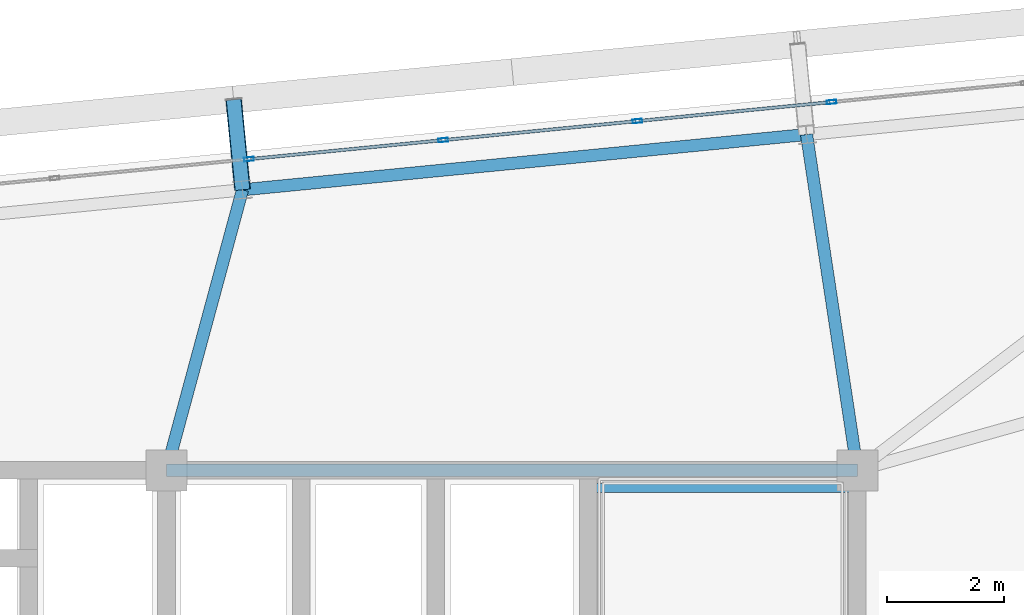
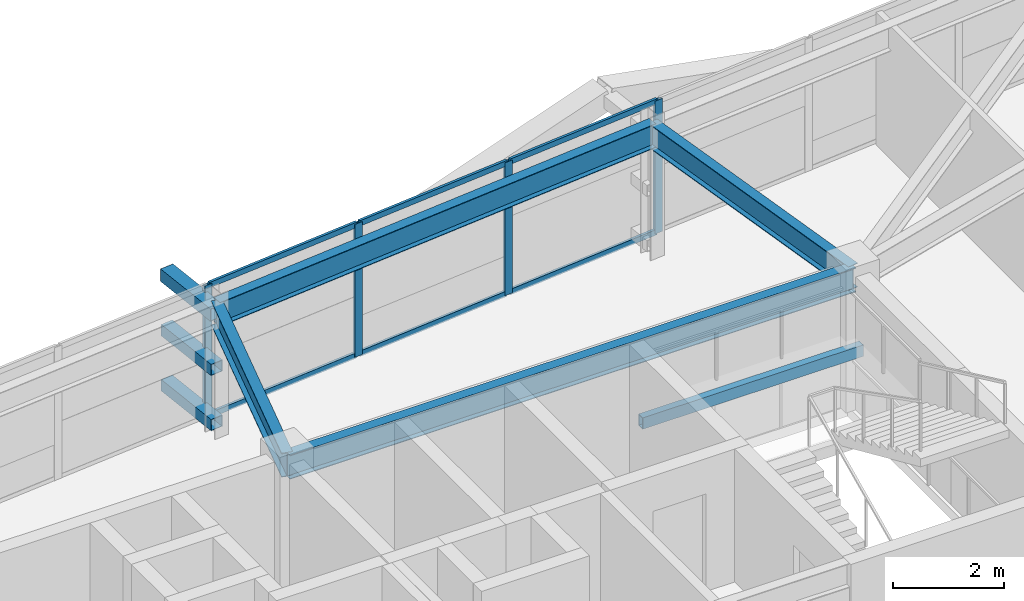
# One storey, part 31 of 52: 13 members, 5 beams, 1 element without a shape of its own.
"""IFC4 building model written with IfcOpenShell, lengths in metres."""

from ifc_helpers import new_model, si_unit, direction, frame, origin, origin_2d, place, context, subcontext, project, spatial, hollow_rectangle, i_section, extrude, source, transform, mapped, material, layer, layer_set, material_profile, profile_set, type_object, element, aggregate, save


model = new_model("IFC4")

# Units and contexts
model_context = context("Model", 3, precision=1e-05, world=origin(), true_north=direction((0.0, 1.0)))
body_context = subcontext(model_context, "Body", "Model", "MODEL_VIEW")
ifc_project = project(units=[si_unit("LENGTHUNIT", "METRE"), si_unit("AREAUNIT", "SQUARE_METRE"), si_unit("VOLUMEUNIT", "CUBIC_METRE"), si_unit("PLANEANGLEUNIT", "RADIAN"), si_unit("MASSUNIT", "GRAM", prefix="KILO")], contexts=[model_context])

# Site, building, storey
site_placement = place(None, origin())
site = spatial("IfcSite", under=ifc_project, at=site_placement, CompositionType="ELEMENT")
building_placement = place(site_placement, origin())
building = spatial("IfcBuilding", under=site, at=building_placement, Name="Taldren Reach Tower", CompositionType="ELEMENT")
storey_placement = place(building_placement, frame((0.0, 0.0, 96.60009765625)))
storey = spatial("IfcBuildingStorey", under=building, at=storey_placement, Name="L29", CompositionType="ELEMENT", Elevation=96.60009765625)

# Beam
ifc_material_1 = material(Name="Steel Gr 350 (350PLUS)", Category="steel")
ifc_material_profile_1 = material_profile(ifc_material_1, i_section(OverallWidth=0.208984375, OverallDepth=0.532958984375, WebThickness=0.01025390625, FlangeThickness=0.015625, at=origin_2d()), Name="530UB92.4")
ifc_profile_set_1 = profile_set([ifc_material_profile_1], Name="Steel Gr 350 (350PLUS)")
beam_type_1 = type_object("IfcBeamType", Name="BM-UB530A", PredefinedType="BEAM", material=ifc_profile_set_1)
shared_shape_1 = source(origin(), body_context, "Body", "SweptSolid", [
    extrude(i_section(OverallWidth=0.208984375, OverallDepth=0.532958984375, WebThickness=0.01025390625, FlangeThickness=0.015625, at=origin_2d()), origin(), (0.0, 0.0, 1.0), 11.800048828125),
])
beam_1_placement = place(storey_placement, frame((39.199951171875, 32.0, 2.663330078125), z_axis=(1.0, 0.0, 0.0), x_axis=(0.0, 1.0, 0.0)))
element("IfcBeam", 1, at=beam_1_placement, inside=storey, type_object=beam_type_1, Name="Core-spine girder L29-SP06", PredefinedType="BEAM", context=body_context, shape_type="MappedRepresentation", body=[
    mapped(shared_shape_1, transform((0.0, 0.0, 0.0), scale=1.0)),
])

# Members
ifc_material_2 = material(Name="Steel Gr 450 (C450L0)", Category="steel")
ifc_material_profile_2 = material_profile(ifc_material_2, hollow_rectangle(XDim=0.27490234375, YDim=0.27490234375, WallThickness=0.00927734375, at=origin_2d()), Name="275x275x9.3SHS")
ifc_profile_set_2 = profile_set([ifc_material_profile_2], Name="Steel Gr 450 (C450L0)")
member_type_1 = type_object("IfcMemberType", Name="MB-TIE273", PredefinedType="STRUT", material=ifc_profile_set_2)
shared_shape_2 = source(origin(), body_context, "Body", "SweptSolid", [
    extrude(hollow_rectangle(XDim=0.27490234375, YDim=0.27490234375, WallThickness=0.00927734375, at=origin_2d()), origin(), (0.0, 0.0, 1.0), 1.5498046875),
])
member_1_placement = place(storey_placement, frame((40.498291015625, 36.790771484375, 2.64990234375), z_axis=(-0.097663201064, 0.995219523099, 0.0), x_axis=(-0.995219523099, -0.097663201064, 0.0)))
element("IfcMember", 2, at=member_1_placement, inside=storey, type_object=member_type_1, Name="Exoskeleton diaphragm tie strut B2-N4 L29", PredefinedType="STRUT", context=body_context, shape_type="MappedRepresentation", body=[
    mapped(shared_shape_2, transform((0.0, 0.0, 0.0), scale=1.0)),
])
ifc_material_3 = material(Name="Steel Gr 350 (C350L0)", Category="steel")
ifc_material_profile_3 = material_profile(ifc_material_3, hollow_rectangle(XDim=0.25, YDim=0.25, WallThickness=0.010009765625, at=origin_2d()), Name="250x250x10.0SHS")
ifc_profile_set_3 = profile_set([ifc_material_profile_3], Name="Steel Gr 350 (C350L0)")
member_type_2 = type_object("IfcMemberType", Name="MB-POST250", PredefinedType="POST", material=ifc_profile_set_3)
shared_shape_3 = source(origin(), body_context, "Body", "SweptSolid", [
    extrude(hollow_rectangle(XDim=0.25, YDim=0.25, WallThickness=0.010009765625, at=origin_2d()), origin(), (0.0, 0.0, 1.0), 1.5498046875),
])
for number, where, z_axis, x_axis, name in (
    (3, (40.498291015625, 36.790771484375, 0.219970703125), (-0.097663201064, 0.995219523099, 0.0), (-0.995219523099, -0.097663201064, 0.0), "Exoskeleton base diaphragm tie strut B2-N4 L29"),
    (4, (40.498291015625, 36.790771484375, 1.434814453125), (-0.097663201064, 0.995219523099, 0.0), (-0.995219523099, -0.097663201064, 0.0), "Exoskeleton mid-tier diaphragm tie B2-N4 L29"),
):
    element("IfcMember", number, at=place(storey_placement, frame(where, z_axis=z_axis, x_axis=x_axis)), inside=storey, type_object=member_type_2, Name=name, PredefinedType="POST", context=body_context, shape_type="MappedRepresentation", body=[
        mapped(shared_shape_3, transform((0.0, 0.0, 0.0), scale=1.0)),
    ])

# Beams
ifc_material_profile_4 = material_profile(ifc_material_1, i_section(OverallWidth=0.208984375, OverallDepth=0.528076171875, WebThickness=0.009521484375, FlangeThickness=0.01318359375, at=origin_2d()), Name="530UB82.0")
ifc_profile_set_4 = profile_set([ifc_material_profile_4], Name="Steel Gr 350 (350PLUS)")
beam_type_2 = type_object("IfcBeamType", Name="SP-UB530B", PredefinedType="SPANDREL", material=ifc_profile_set_4)
shared_shape_4 = source(origin(), body_context, "Body", "SweptSolid", [
    extrude(i_section(OverallWidth=0.208984375, OverallDepth=0.528076171875, WebThickness=0.009521484375, FlangeThickness=0.01318359375, at=origin_2d()), origin(), (0.0, 0.0, 1.0), 9.679931640625),
])
beam_2_placement = place(storey_placement, frame((50.132080078125, 37.7353515625, 2.666015625), z_axis=(-0.995227612658, -0.097580730699, 0.0), x_axis=(0.097580730699, -0.995227612658, 0.0)))
element("IfcBeam", 5, at=beam_2_placement, inside=storey, type_object=beam_type_2, Name="Perimeter spandrel B2 N5-N4 L29", PredefinedType="SPANDREL", context=body_context, shape_type="MappedRepresentation", body=[
    mapped(shared_shape_4, transform((0.0, 0.0, 0.0), scale=1.0)),
])
shared_shape_5 = source(origin(), body_context, "Body", "SweptSolid", [
    extrude(i_section(OverallWidth=0.208984375, OverallDepth=0.532958984375, WebThickness=0.01025390625, FlangeThickness=0.015625, at=origin_2d()), origin(), (0.0, 0.0, 1.0), 5.800537109375),
])
beam_3_placement = place(storey_placement, frame((51.0, 32.0, 2.663330078125), z_axis=(-0.149624592867, 0.988742879221, 0.0), x_axis=(-0.988742879221, -0.149624592867, 0.0)))
element("IfcBeam", 6, at=beam_3_placement, inside=storey, type_object=beam_type_1, Name="Primary floor girder B2-N5 L29", PredefinedType="BEAM", context=body_context, shape_type="MappedRepresentation", body=[
    mapped(shared_shape_5, transform((0.0, 0.0, 0.0), scale=1.0)),
])
shared_shape_6 = source(origin(), body_context, "Body", "SweptSolid", [
    extrude(i_section(OverallWidth=0.208984375, OverallDepth=0.532958984375, WebThickness=0.01025390625, FlangeThickness=0.015625, at=origin_2d()), origin(), (0.0, 0.0, 1.0), 4.963623046875),
])
beam_4_placement = place(storey_placement, frame((39.199951171875, 32.0, 2.663330078125), z_axis=(0.261572995851, 0.965183696423, 0.0), x_axis=(-0.965183696423, 0.261572995851, 0.0)))
element("IfcBeam", 7, at=beam_4_placement, inside=storey, type_object=beam_type_1, Name="Primary floor girder B2-N4 L29", PredefinedType="BEAM", context=body_context, shape_type="MappedRepresentation", body=[
    mapped(shared_shape_6, transform((0.0, 0.0, 0.0), scale=1.0)),
])

# Curtain wall, members
ifc_material_4 = material(Name="Aluminium and Low-E Glass Unitised System", Category="aluminium")
ifc_layer = layer(ifc_material_4, 0.159912109375)
ifc_layer_set = layer_set([ifc_layer], Name="Aluminium and Low-E Glass Unitised System")
curtain_wall_type = type_object("IfcCurtainWallType", Name="CW-SYS-3", PredefinedType="NOTDEFINED", material=ifc_layer_set)
curtain_wall_placement = place(storey_placement, origin())
curtain_wall = element("IfcCurtainWall", 8, at=curtain_wall_placement, inside=storey, type_object=curtain_wall_type, Name="Unitised curtain wall CW-L29-N", PredefinedType="NOTDEFINED")
ifc_material_5 = material(Name="Anodised Aluminium 6063-T6", Category="aluminium")
ifc_material_profile_5 = material_profile(ifc_material_5, hollow_rectangle(XDim=0.06494140625, YDim=0.1650390625, WallThickness=0.00390625, at=origin_2d()), Name="ALU-165x65x4RHS")
ifc_profile_set_5 = profile_set([ifc_material_profile_5], Name="Anodised Aluminium 6063-T6")
member_type_3 = type_object("IfcMemberType", Name="CW-MUL-165", PredefinedType="MULLION", material=ifc_profile_set_5)
shared_shape_7 = source(origin(), body_context, "Body", "SweptSolid", [
    extrude(hollow_rectangle(XDim=0.06494140625, YDim=0.1650390625, WallThickness=0.00390625, at=origin_2d()), origin(), (0.0, 0.0, 1.0), 2.929931640625),
])
member_2_placement = place(storey_placement, frame((50.56005859375, 38.289794921875, 0.0), z_axis=(0.0, 0.0, 1.0), x_axis=(0.097582999046, -0.995227390247, 0.0)))
member_2 = element("IfcMember", 9, at=member_2_placement, type_object=member_type_3, Name="CW-3 mullion 4", PredefinedType="MULLION", context=body_context, shape_type="MappedRepresentation", body=[
    mapped(shared_shape_7, transform((0.0, 0.0, 0.0), scale=1.0)),
])
member_3_placement = place(storey_placement, frame((47.242431640625, 37.96435546875, 0.0), z_axis=(0.0, 0.0, 1.0), x_axis=(0.097582999046, -0.995227390247, 0.0)))
member_3 = element("IfcMember", 10, at=member_3_placement, type_object=member_type_3, Name="CW-3 mullion 5", PredefinedType="MULLION", context=body_context, shape_type="MappedRepresentation", body=[
    mapped(shared_shape_7, transform((0.0, 0.0, 0.0), scale=1.0)),
])
member_4_placement = place(storey_placement, frame((43.925048828125, 37.63916015625, 0.0), z_axis=(0.0, 0.0, 1.0), x_axis=(0.097582999046, -0.995227390247, 0.0)))
member_4 = element("IfcMember", 11, at=member_4_placement, type_object=member_type_3, Name="CW-3 mullion 6", PredefinedType="MULLION", context=body_context, shape_type="MappedRepresentation", body=[
    mapped(shared_shape_7, transform((0.0, 0.0, 0.0), scale=1.0)),
])
member_5_placement = place(storey_placement, frame((40.607666015625, 37.31396484375, 0.0), z_axis=(0.0, 0.0, 1.0), x_axis=(0.097582999046, -0.995227390247, 0.0)))
member_5 = element("IfcMember", 12, at=member_5_placement, type_object=member_type_3, Name="CW-3 mullion 7", PredefinedType="MULLION", context=body_context, shape_type="MappedRepresentation", body=[
    mapped(shared_shape_7, transform((0.0, 0.0, 0.0), scale=1.0)),
])
ifc_material_profile_6 = material_profile(ifc_material_5, hollow_rectangle(XDim=0.054931640625, YDim=0.1201171875, WallThickness=0.0029296875, at=origin_2d()), Name="ALU-120x55x3RHS")
ifc_profile_set_6 = profile_set([ifc_material_profile_6], Name="Anodised Aluminium 6063-T6")
member_type_4 = type_object("IfcMemberType", Name="CW-TRN-135", PredefinedType="USERDEFINED", material=ifc_profile_set_6)
shared_shape_8 = source(origin(), body_context, "Body", "SweptSolid", [
    extrude(hollow_rectangle(XDim=0.054931640625, YDim=0.1201171875, WallThickness=0.0029296875, at=origin_2d()), origin(), (0.0, 0.0, 1.0), 3.268310546875),
])
member_6_placement = place(storey_placement, frame((50.527587890625, 38.28662109375, 0.02734375), z_axis=(-0.995222549564, -0.097632355496, 0.0), x_axis=(0.097632355496, -0.995222549564, 0.0)))
member_6 = element("IfcMember", 13, at=member_6_placement, type_object=member_type_4, Name="CW-3 transom 4.1", ObjectType="TRANSOM", PredefinedType="USERDEFINED", context=body_context, shape_type="MappedRepresentation", body=[
    mapped(shared_shape_8, transform((0.0, 0.0, 0.0), scale=1.0)),
])
member_7_placement = place(storey_placement, frame((50.527587890625, 38.28662109375, 2.90234375), z_axis=(-0.995222549564, -0.097632355496, 0.0), x_axis=(0.097632355496, -0.995222549564, 0.0)))
member_7 = element("IfcMember", 14, at=member_7_placement, type_object=member_type_4, Name="CW-3 transom 4.2", ObjectType="TRANSOM", PredefinedType="USERDEFINED", context=body_context, shape_type="MappedRepresentation", body=[
    mapped(shared_shape_8, transform((0.0, 0.0, 0.0), scale=1.0)),
])
member_8_placement = place(storey_placement, frame((47.210205078125, 37.961181640625, 0.02734375), z_axis=(-0.99522980512, -0.097558367146, 0.0), x_axis=(0.097558367146, -0.99522980512, 0.0)))
member_8 = element("IfcMember", 15, at=member_8_placement, type_object=member_type_4, Name="CW-3 transom 5.1", ObjectType="TRANSOM", PredefinedType="USERDEFINED", context=body_context, shape_type="MappedRepresentation", body=[
    mapped(shared_shape_8, transform((0.0, 0.0, 0.0), scale=1.0)),
])
member_9_placement = place(storey_placement, frame((47.210205078125, 37.961181640625, 2.90234375), z_axis=(-0.99522980512, -0.097558367146, 0.0), x_axis=(0.097558367146, -0.99522980512, 0.0)))
member_9 = element("IfcMember", 16, at=member_9_placement, type_object=member_type_4, Name="CW-3 transom 5.2", ObjectType="TRANSOM", PredefinedType="USERDEFINED", context=body_context, shape_type="MappedRepresentation", body=[
    mapped(shared_shape_8, transform((0.0, 0.0, 0.0), scale=1.0)),
])
member_10_placement = place(storey_placement, frame((43.892822265625, 37.635986328125, 0.02734375), z_axis=(-0.99522980512, -0.097558367146, 0.0), x_axis=(0.097558367146, -0.99522980512, 0.0)))
member_10 = element("IfcMember", 17, at=member_10_placement, type_object=member_type_4, Name="CW-3 transom 6.1", ObjectType="TRANSOM", PredefinedType="USERDEFINED", context=body_context, shape_type="MappedRepresentation", body=[
    mapped(shared_shape_8, transform((0.0, 0.0, 0.0), scale=1.0)),
])
member_11_placement = place(storey_placement, frame((43.892822265625, 37.635986328125, 2.90234375), z_axis=(-0.99522980512, -0.097558367146, 0.0), x_axis=(0.097558367146, -0.99522980512, 0.0)))
member_11 = element("IfcMember", 18, at=member_11_placement, type_object=member_type_4, Name="CW-3 transom 6.2", ObjectType="TRANSOM", PredefinedType="USERDEFINED", context=body_context, shape_type="MappedRepresentation", body=[
    mapped(shared_shape_8, transform((0.0, 0.0, 0.0), scale=1.0)),
])
aggregate(curtain_wall, [member_2, member_3, member_4, member_5, member_6, member_7, member_8, member_9, member_10, member_11])

# Beam
ifc_material_profile_7 = material_profile(ifc_material_3, hollow_rectangle(XDim=0.14990234375, YDim=0.25, WallThickness=0.009033203125, at=origin_2d()), Name="250x150x9.0RHS")
ifc_profile_set_7 = profile_set([ifc_material_profile_7], Name="Steel Gr 350 (C350L0)")
beam_type_3 = type_object("IfcBeamType", Name="LN-RHS250", PredefinedType="LINTEL", material=ifc_profile_set_7)
shared_shape_9 = source(origin(), body_context, "Body", "SweptSolid", [
    extrude(hollow_rectangle(XDim=0.14990234375, YDim=0.25, WallThickness=0.009033203125, at=origin_2d()), origin(), (0.0, 0.0, 1.0), 4.60009765625),
])
beam_5_placement = place(storey_placement, frame((46.39990234375, 31.699951171875, 1.27001953125), z_axis=(1.0, 0.0, 0.0), x_axis=(0.0, 1.0, 0.0)))
element("IfcBeam", 19, at=beam_5_placement, inside=storey, type_object=beam_type_3, Name="Stair half-landing support beam ST2-L29-2", PredefinedType="LINTEL", context=body_context, shape_type="MappedRepresentation", body=[
    mapped(shared_shape_9, transform((0.0, 0.0, 0.0), scale=1.0)),
])

save(model, "model.ifc")
